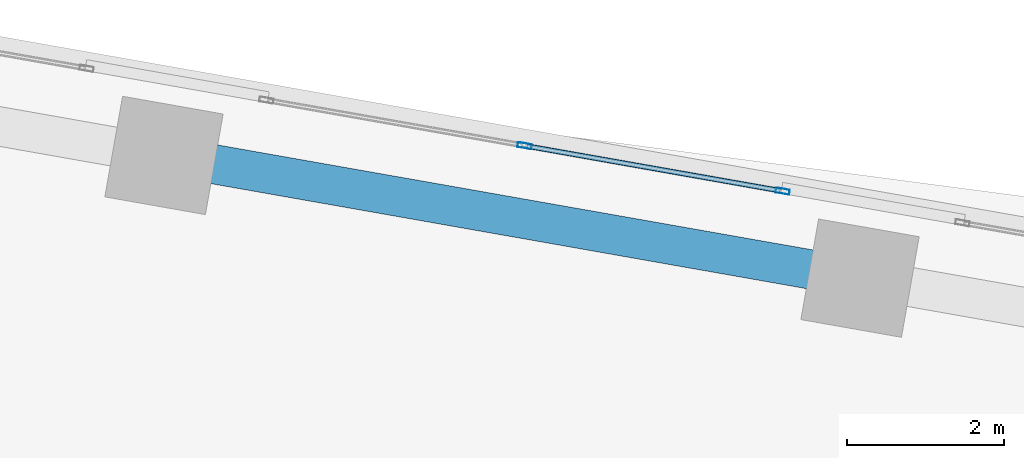
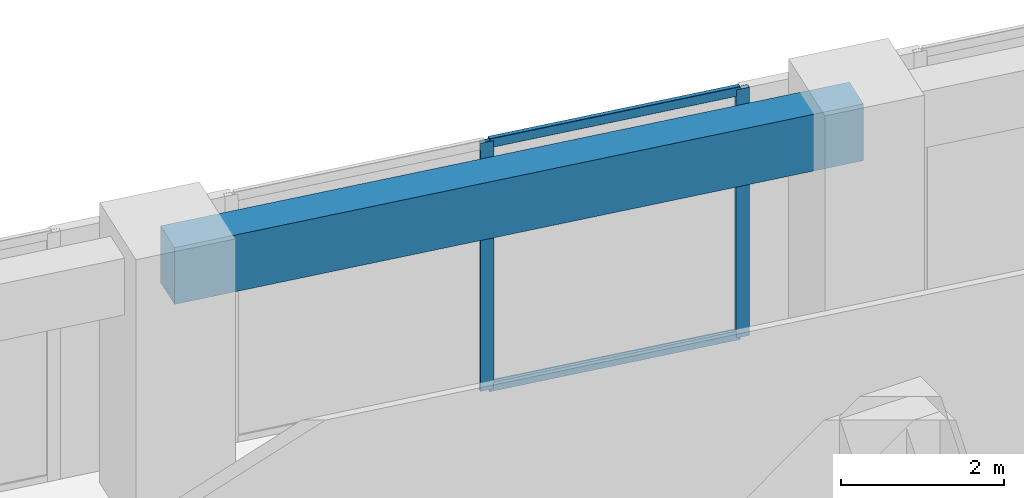
# One storey, part 16 of 24: 4 members, 1 beam, 1 element without a shape of its own.
"""IFC4 building model written with IfcOpenShell, lengths in metres."""

from ifc_helpers import new_model, si_unit, direction, frame, origin, origin_2d, place, context, subcontext, project, spatial, rectangle, hollow_rectangle, extrude, source, transform, mapped, material, material_profile, profile_set, type_object, element, aggregate, save


model = new_model("IFC4")

# Units and contexts
model_context = context("Model", 3, precision=1e-05, world=origin(), true_north=direction((0.0, 1.0)))
body_context = subcontext(model_context, "Body", "Model", "MODEL_VIEW")
ifc_project = project(units=[si_unit("LENGTHUNIT", "METRE"), si_unit("AREAUNIT", "SQUARE_METRE"), si_unit("VOLUMEUNIT", "CUBIC_METRE"), si_unit("PLANEANGLEUNIT", "RADIAN"), si_unit("MASSUNIT", "GRAM", prefix="KILO")], contexts=[model_context])

# Site, building, storey
site_placement = place(None, origin())
site = spatial("IfcSite", under=ifc_project, at=site_placement, CompositionType="ELEMENT")
building_placement = place(site_placement, origin())
building = spatial("IfcBuilding", under=site, at=building_placement, Name="Torre Montelarca", CompositionType="ELEMENT")
storey_placement = place(building_placement, frame((0.0, 0.0, 74.800048828125)))
storey = spatial("IfcBuildingStorey", under=building, at=storey_placement, Name="L16", CompositionType="ELEMENT", Elevation=74.800048828125)

# Beam
ifc_material_1 = material(Name="Concrete C55/67", Category="concrete")
ifc_material_profile_1 = material_profile(ifc_material_1, rectangle(XDim=0.5, YDim=0.85009765625, at=origin_2d()), Name="RCB500X850", Category="concrete")
ifc_profile_set_1 = profile_set([ifc_material_profile_1], Name="Concrete C55/67")
beam_type = type_object("IfcBeamType", Name="BM-SP-RC850-EXT", PredefinedType="SPANDREL", material=ifc_profile_set_1)
shared_shape_1 = source(origin(), body_context, "Body", "SweptSolid", [
    extrude(rectangle(XDim=0.5, YDim=0.85009765625, at=origin_2d()), origin(), (0.0, 0.0, 1.0), 9.0),
])
beam_placement = place(storey_placement, frame((20.683837890625, 47.527587890625, 3.534912109375), z_axis=(0.984809491212, -0.173638319558, 0.0), x_axis=(0.173638319558, 0.984809491212, 0.0)))
element("IfcBeam", 1, at=beam_placement, inside=storey, type_object=beam_type, Name="L16 Grid Girder X 18.0-27.0 at Y=47.1", PredefinedType="SPANDREL", context=body_context, shape_type="MappedRepresentation", body=[
    mapped(shared_shape_1, transform((0.0, 0.0, 0.0), scale=1.0)),
])

# Curtain wall, members
ifc_material_2 = material(Name="Insulated low-E laminated glass", Category="glass")
curtain_wall_type = type_object("IfcCurtainWallType", Name="CW-SYS-Z1", PredefinedType="USERDEFINED", material=ifc_material_2)
curtain_wall_placement = place(storey_placement, origin())
curtain_wall = element("IfcCurtainWall", 2, at=curtain_wall_placement, inside=storey, type_object=curtain_wall_type, Name="L16 Curtain Wall Run CW-T3-L16-E08-B3", ObjectType="UNITISED GLAZING", PredefinedType="USERDEFINED")
ifc_material_3 = material(Name="Anodised aluminium AA 6063-T6", Category="aluminium")
ifc_material_profile_2 = material_profile(ifc_material_3, hollow_rectangle(XDim=0.06494140625, YDim=0.139892578125, WallThickness=0.00390625, InnerFilletRadius=0.00390625, OuterFilletRadius=0.008056640625, at=origin_2d()), Name="ALU65X140X4", Category="aluminium")
ifc_profile_set_2 = profile_set([ifc_material_profile_2], Name="Anodised aluminium AA 6063-T6")
member_type_1 = type_object("IfcMemberType", Name="CWT-ALU140", PredefinedType="USERDEFINED", material=ifc_profile_set_2)
shared_shape_2 = source(origin(), body_context, "Body", "SweptSolid", [
    extrude(hollow_rectangle(XDim=0.06494140625, YDim=0.139892578125, WallThickness=0.00390625, InnerFilletRadius=0.00390625, OuterFilletRadius=0.008056640625, at=origin_2d()), origin(), (0.0, 0.0, 1.0), 3.2724609375),
])
member_1_placement = place(storey_placement, frame((28.530029296875, 47.078369140625, 0.032470703125), z_axis=(-0.984814337582, 0.173610830572, 0.0), x_axis=(-0.173610830572, -0.984814337582, 0.0)))
member_1 = element("IfcMember", 3, at=member_1_placement, type_object=member_type_1, Name="CW transom 1.1", ObjectType="TRANSOM", PredefinedType="USERDEFINED", context=body_context, shape_type="MappedRepresentation", body=[
    mapped(shared_shape_2, transform((0.0, 0.0, 0.0), scale=1.0)),
])
member_2_placement = place(storey_placement, frame((28.530029296875, 47.078369140625, 3.6875), z_axis=(-0.984814337582, 0.173610830572, 0.0), x_axis=(-0.173610830572, -0.984814337582, 0.0)))
member_2 = element("IfcMember", 4, at=member_2_placement, type_object=member_type_1, Name="CW transom 1.2", ObjectType="TRANSOM", PredefinedType="USERDEFINED", context=body_context, shape_type="MappedRepresentation", body=[
    mapped(shared_shape_2, transform((0.0, 0.0, 0.0), scale=1.0)),
])
ifc_material_profile_3 = material_profile(ifc_material_3, hollow_rectangle(XDim=0.06494140625, YDim=0.179931640625, WallThickness=0.00390625, InnerFilletRadius=0.00390625, OuterFilletRadius=0.008056640625, at=origin_2d()), Name="ALU65X180X4", Category="aluminium")
ifc_profile_set_3 = profile_set([ifc_material_profile_3], Name="Anodised aluminium AA 6063-T6")
member_type_2 = type_object("IfcMemberType", Name="CWM-ALU180", PredefinedType="MULLION", material=ifc_profile_set_3)
shared_shape_3 = source(origin(), body_context, "Body", "SweptSolid", [
    extrude(hollow_rectangle(XDim=0.06494140625, YDim=0.179931640625, WallThickness=0.00390625, InnerFilletRadius=0.00390625, OuterFilletRadius=0.008056640625, at=origin_2d()), origin(), (0.0, 0.0, 1.0), 3.719970703125),
])
member_3_placement = place(storey_placement, frame((28.56201171875, 47.07275390625, 0.0), z_axis=(0.0, 0.0, 1.0), x_axis=(-0.173649909131, -0.984807447707, 0.0)))
member_3 = element("IfcMember", 5, at=member_3_placement, type_object=member_type_2, Name="CW mullion 1", PredefinedType="MULLION", context=body_context, shape_type="MappedRepresentation", body=[
    mapped(shared_shape_3, transform((0.0, 0.0, 0.0), scale=1.0)),
])
member_4_placement = place(storey_placement, frame((25.275390625, 47.652099609375, 0.0), z_axis=(0.0, 0.0, 1.0), x_axis=(-0.173649909131, -0.984807447707, 0.0)))
member_4 = element("IfcMember", 6, at=member_4_placement, type_object=member_type_2, Name="CW mullion 2", PredefinedType="MULLION", context=body_context, shape_type="MappedRepresentation", body=[
    mapped(shared_shape_3, transform((0.0, 0.0, 0.0), scale=1.0)),
])
aggregate(curtain_wall, [member_3, member_4, member_1, member_2])

save(model, "model.ifc")
